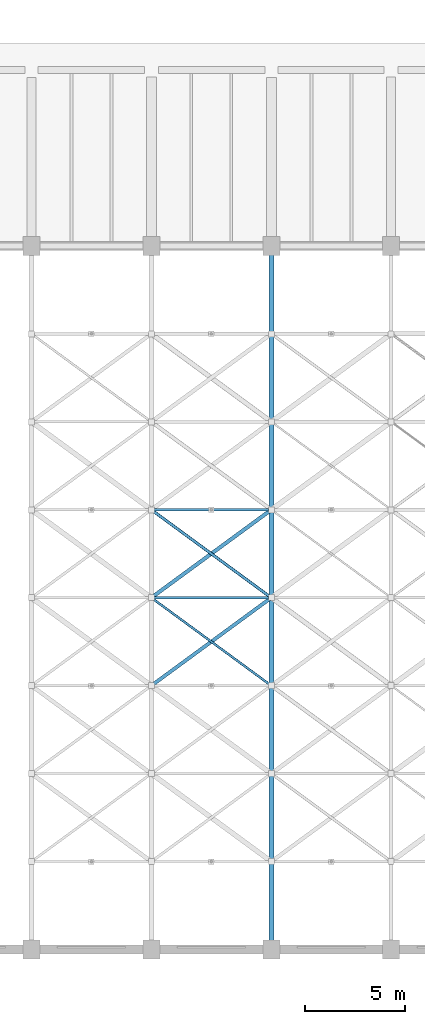
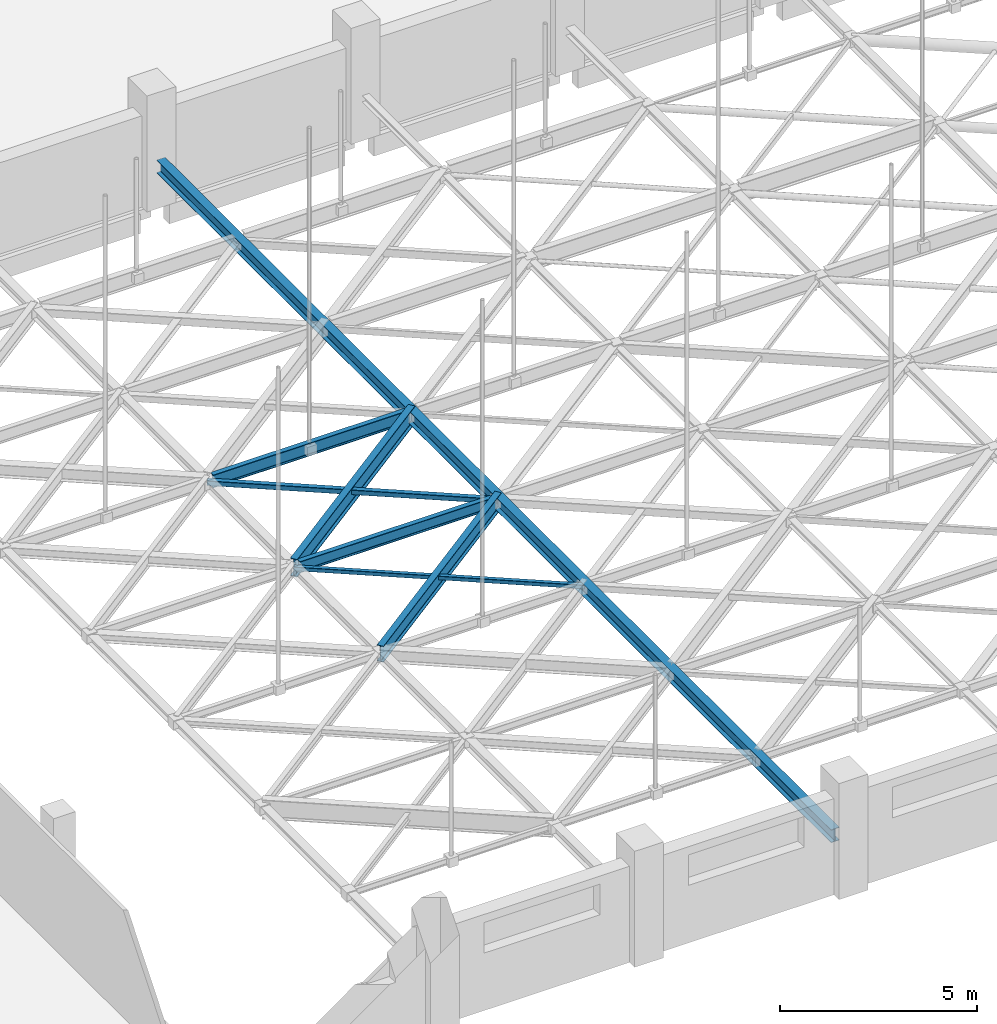
# One storey, part 28 of 93: 4 members, 3 beams.
"""IFC4 building model written with IfcOpenShell, lengths in metres."""

from ifc_helpers import new_model, si_unit, direction, frame, origin, origin_2d, place, context, subcontext, project, spatial, hollow_rectangle, i_section, extrude, material, material_profile, profile_set, type_object, element, save


model = new_model("IFC4")

# Units and contexts
model_context = context("Model", 3, precision=1e-05, world=origin(), true_north=direction((0.0, 1.0)))
body_context = subcontext(model_context, "Body", "Model", "MODEL_VIEW")
ifc_project = project(units=[si_unit("LENGTHUNIT", "METRE"), si_unit("AREAUNIT", "SQUARE_METRE"), si_unit("VOLUMEUNIT", "CUBIC_METRE"), si_unit("PLANEANGLEUNIT", "RADIAN"), si_unit("MASSUNIT", "GRAM", prefix="KILO")], contexts=[model_context])

# Site, building, storey
site_placement = place(None, origin())
site = spatial("IfcSite", under=ifc_project, at=site_placement, CompositionType="ELEMENT")
building_placement = place(site_placement, origin())
building = spatial("IfcBuilding", under=site, at=building_placement, Name="Varnakota Cinema and Media Centre", CompositionType="ELEMENT")
storey_placement = place(building_placement, frame((0.0, 0.0, 12.0)))
storey = spatial("IfcBuildingStorey", under=building, at=storey_placement, Name="L03", CompositionType="ELEMENT", Elevation=12.0)

# Beams
ifc_material_1 = material(Name="Structural steel Grade 350 (E350)", Category="steel")
ifc_material_profile_1 = material_profile(ifc_material_1, i_section(OverallWidth=0.25, OverallDepth=0.39990234375, WebThickness=0.010498046875, FlangeThickness=0.0126953125, FilletRadius=0.011962890625, at=origin_2d()), Name="ISHB 400")
ifc_profile_set_1 = profile_set([ifc_material_profile_1], Name="Structural steel Grade 350 (E350)")
beam_type_1 = type_object("IfcBeamType", Name="BM-ST-ISHB400", PredefinedType="BEAM", material=ifc_profile_set_1)
beam_1_placement = place(storey_placement, frame((93.0, 0.449951171875, 1.300048828125), z_axis=(0.0, 1.0, 0.0), x_axis=(-1.0, 0.0, 0.0)))
element("IfcBeam", 1, at=beam_1_placement, inside=storey, type_object=beam_type_1, Name="V1 acoustic rigging main beam 4", PredefinedType="BEAM", context=body_context, shape_type="SweptSolid", body=[
    extrude(i_section(OverallWidth=0.25, OverallDepth=0.39990234375, WebThickness=0.010498046875, FlangeThickness=0.0126953125, FilletRadius=0.011962890625, at=origin_2d()), origin(), (0.0, 0.0, 1.0), 34.300048828125),
])
ifc_material_2 = material(Name="Structural steel Grade 350 (E350)", Category="steel")
ifc_material_profile_2 = material_profile(ifc_material_2, i_section(OverallWidth=0.139892578125, OverallDepth=0.35009765625, WebThickness=0.008056640625, FlangeThickness=0.01416015625, FilletRadius=0.013916015625, at=origin_2d()), Name="ISMB 350")
ifc_profile_set_2 = profile_set([ifc_material_profile_2], Name="Structural steel Grade 350 (E350)")
beam_type_2 = type_object("IfcBeamType", Name="BM-ST-ISMB350", PredefinedType="JOIST", material=ifc_profile_set_2)
beam_2_placement = place(storey_placement, frame((87.139892578125, 17.60009765625, 1.300048828125), z_axis=(1.0, 0.0, 0.0), x_axis=(0.0, 1.0, 0.0)))
element("IfcBeam", 2, at=beam_2_placement, inside=storey, type_object=beam_type_2, Name="V1 rigging beam 3.4", PredefinedType="JOIST", context=body_context, shape_type="SweptSolid", body=[
    extrude(i_section(OverallWidth=0.139892578125, OverallDepth=0.35009765625, WebThickness=0.008056640625, FlangeThickness=0.01416015625, FilletRadius=0.013916015625, at=origin_2d()), origin(), (0.0, 0.0, 1.0), 5.72021484375),
])
ifc_material_3 = material(Name="Structural steel Grade 350 (E350)", Category="steel")
ifc_material_profile_3 = material_profile(ifc_material_3, i_section(OverallWidth=0.139892578125, OverallDepth=0.39990234375, WebThickness=0.0087890625, FlangeThickness=0.01611328125, FilletRadius=0.013916015625, at=origin_2d()), Name="ISMB 400")
ifc_profile_set_3 = profile_set([ifc_material_profile_3], Name="Structural steel Grade 350 (E350)")
beam_type_3 = type_object("IfcBeamType", Name="BM-ST-ISMB400", PredefinedType="JOIST", material=ifc_profile_set_3)
beam_3_placement = place(storey_placement, frame((87.139892578125, 22.0, 1.300048828125), z_axis=(1.0, 0.0, 0.0), x_axis=(0.0, 1.0, 0.0)))
element("IfcBeam", 3, at=beam_3_placement, inside=storey, type_object=beam_type_3, Name="V1 rigging beam 3.5", PredefinedType="JOIST", context=body_context, shape_type="SweptSolid", body=[
    extrude(i_section(OverallWidth=0.139892578125, OverallDepth=0.39990234375, WebThickness=0.0087890625, FlangeThickness=0.01611328125, FilletRadius=0.013916015625, at=origin_2d()), origin(), (0.0, 0.0, 1.0), 5.72021484375),
])

# Members
ifc_material_4 = material(Name="Structural steel Grade 350 (E350)", Category="steel")
ifc_material_profile_4 = material_profile(ifc_material_4, i_section(OverallWidth=0.179931640625, OverallDepth=0.5, WebThickness=0.01025390625, FlangeThickness=0.01708984375, FilletRadius=0.01708984375, at=origin_2d()), Name="ISMB 500")
ifc_profile_set_4 = profile_set([ifc_material_profile_4], Name="Structural steel Grade 350 (E350)")
member_type_1 = type_object("IfcMemberType", Name="MEM-ST-ISMB500", PredefinedType="RAFTER", material=ifc_profile_set_4)
member_1_placement = place(storey_placement, frame((87.0, 13.199951171875, 1.300048828125), z_axis=(0.806395607258, 0.591376466048, 0.0), x_axis=(-0.591376466048, 0.806395607258, 0.0)))
element("IfcMember", 4, at=member_1_placement, inside=storey, type_object=member_type_1, Name="V1 rigging plan member A 3.3", PredefinedType="RAFTER", context=body_context, shape_type="SweptSolid", body=[
    extrude(i_section(OverallWidth=0.179931640625, OverallDepth=0.5, WebThickness=0.01025390625, FlangeThickness=0.01708984375, FilletRadius=0.01708984375, at=origin_2d()), origin(), (0.0, 0.0, 1.0), 7.4404296875),
])
ifc_material_5 = material(Name="Structural steel Grade 350 (E350)", Category="steel")
ifc_material_profile_5 = material_profile(ifc_material_5, i_section(OverallWidth=0.18994140625, OverallDepth=0.550048828125, WebThickness=0.01123046875, FlangeThickness=0.019287109375, FilletRadius=0.01806640625, at=origin_2d()), Name="ISMB 550")
ifc_profile_set_5 = profile_set([ifc_material_profile_5], Name="Structural steel Grade 350 (E350)")
member_type_2 = type_object("IfcMemberType", Name="MEM-ST-ISMB550", PredefinedType="RAFTER", material=ifc_profile_set_5)
member_2_placement = place(storey_placement, frame((87.0, 17.60009765625, 1.300048828125), z_axis=(0.80641125493, 0.591355128432, 0.0), x_axis=(-0.591355128432, 0.80641125493, 0.0)))
element("IfcMember", 5, at=member_2_placement, inside=storey, type_object=member_type_2, Name="V1 rigging plan member A 3.4", PredefinedType="RAFTER", context=body_context, shape_type="SweptSolid", body=[
    extrude(i_section(OverallWidth=0.18994140625, OverallDepth=0.550048828125, WebThickness=0.01123046875, FlangeThickness=0.019287109375, FilletRadius=0.01806640625, at=origin_2d()), origin(), (0.0, 0.0, 1.0), 7.4404296875),
])
ifc_material_6 = material(Name="Structural steel S355 (YSt 355)", Category="steel")
ifc_material_profile_6 = material_profile(ifc_material_6, hollow_rectangle(XDim=0.1201171875, YDim=0.1201171875, WallThickness=0.006103515625, InnerFilletRadius=0.006103515625, OuterFilletRadius=0.011962890625, at=origin_2d()), Name="SHS 120x120x6")
ifc_profile_set_6 = profile_set([ifc_material_profile_6], Name="Structural steel S355 (YSt 355)")
member_type_3 = type_object("IfcMemberType", Name="MEM-ST-SHS120x120x6", PredefinedType="STRUT", material=ifc_profile_set_6)
member_3_placement = place(storey_placement, frame((93.0, 13.199951171875, 1.300048828125), z_axis=(-0.806395607258, 0.591376466048, 0.0), x_axis=(-0.591376466048, -0.806395607258, 0.0)))
element("IfcMember", 6, at=member_3_placement, inside=storey, type_object=member_type_3, Name="V1 rigging plan member B 3.3", PredefinedType="STRUT", context=body_context, shape_type="SweptSolid", body=[
    extrude(hollow_rectangle(XDim=0.1201171875, YDim=0.1201171875, WallThickness=0.006103515625, InnerFilletRadius=0.006103515625, OuterFilletRadius=0.011962890625, at=origin_2d()), origin(), (0.0, 0.0, 1.0), 7.4404296875),
])
ifc_material_7 = material(Name="Structural steel S355 (YSt 355)", Category="steel")
ifc_material_profile_7 = material_profile(ifc_material_7, hollow_rectangle(XDim=0.14990234375, YDim=0.14990234375, WallThickness=0.008056640625, InnerFilletRadius=0.008056640625, OuterFilletRadius=0.01611328125, at=origin_2d()), Name="SHS 150x150x8")
ifc_profile_set_7 = profile_set([ifc_material_profile_7], Name="Structural steel S355 (YSt 355)")
member_type_4 = type_object("IfcMemberType", Name="MEM-ST-SHS150x150x8", PredefinedType="STRUT", material=ifc_profile_set_7)
member_4_placement = place(storey_placement, frame((93.0, 17.60009765625, 1.300048828125), z_axis=(-0.80641125493, 0.591355128432, 0.0), x_axis=(-0.591355128432, -0.80641125493, 0.0)))
element("IfcMember", 7, at=member_4_placement, inside=storey, type_object=member_type_4, Name="V1 rigging plan member B 3.4", PredefinedType="STRUT", context=body_context, shape_type="SweptSolid", body=[
    extrude(hollow_rectangle(XDim=0.14990234375, YDim=0.14990234375, WallThickness=0.008056640625, InnerFilletRadius=0.008056640625, OuterFilletRadius=0.01611328125, at=origin_2d()), origin(), (0.0, 0.0, 1.0), 7.4404296875),
])

save(model, "model.ifc")
